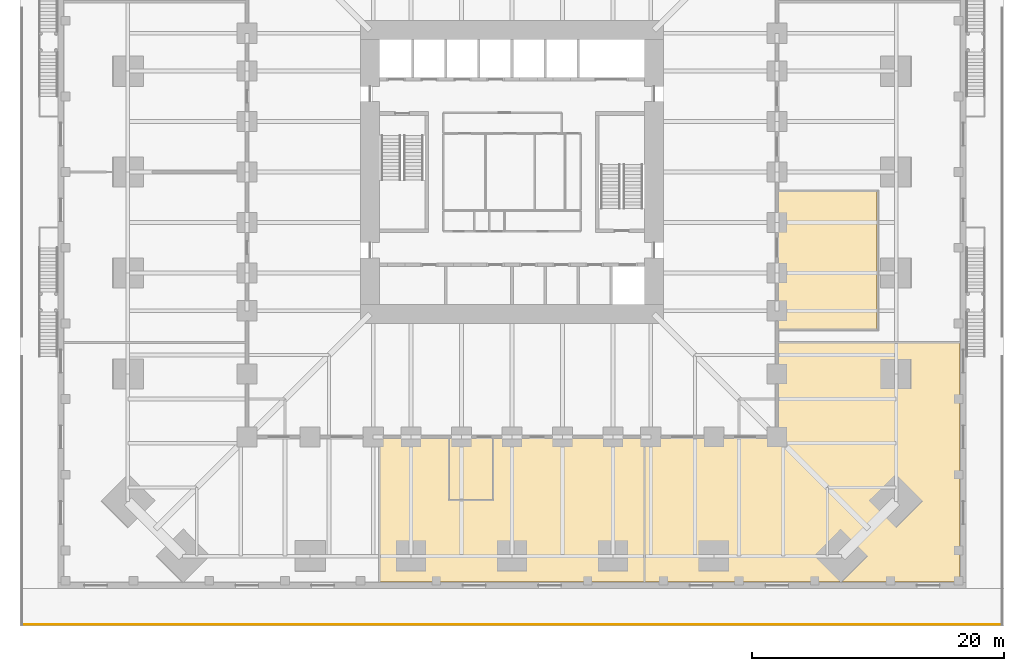
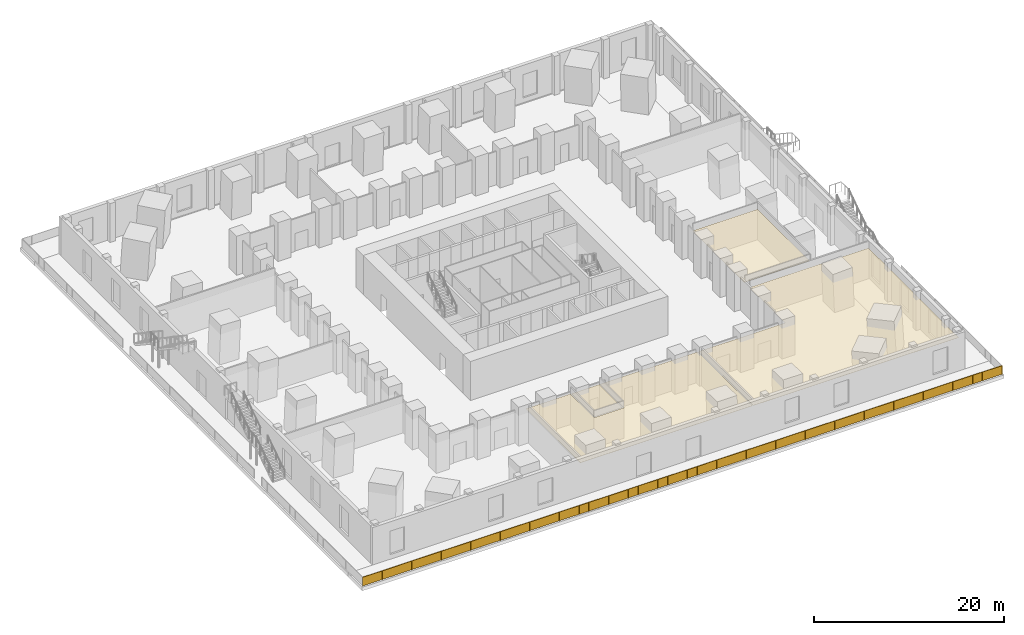
# One storey, part 17 of 20: 4 coverings, 1 railing.
"""IFC4 building model written with IfcOpenShell, lengths in metres."""

from ifc_helpers import new_model, si_unit, direction, frame, origin, origin_2d, place, context, subcontext, project, spatial, polyline, rectangle, circle, outline, extrude, material, layer, layer_set, type_object, element, save


model = new_model("IFC4")

# Units and contexts
model_context = context("Model", 3, precision=1e-05, world=origin(), true_north=direction((0.0, 1.0)))
body_context = subcontext(model_context, "Body", "Model", "MODEL_VIEW")
ifc_project = project(units=[si_unit("LENGTHUNIT", "METRE"), si_unit("AREAUNIT", "SQUARE_METRE"), si_unit("VOLUMEUNIT", "CUBIC_METRE"), si_unit("PLANEANGLEUNIT", "RADIAN"), si_unit("MASSUNIT", "GRAM", prefix="KILO")], contexts=[model_context])

# Site, building, storey
site_placement = place(None, origin())
site = spatial("IfcSite", under=ifc_project, at=site_placement, CompositionType="ELEMENT")
building_placement = place(site_placement, origin())
building = spatial("IfcBuilding", under=site, at=building_placement, Name="Peilmerk Tower", CompositionType="ELEMENT")
storey_placement = place(building_placement, frame((0.0, 0.0, 11.0)))
storey = spatial("IfcBuildingStorey", under=building, at=storey_placement, Name="L02", CompositionType="ELEMENT", Elevation=11.0)

# Coverings
ifc_material_1 = material(Name="Mineral fibre ceiling tiles", Category="mineral")
ifc_layer = layer(ifc_material_1, 0.02490234375)
ifc_layer_set = layer_set([ifc_layer], Name="Mineral fibre ceiling tiles")
covering_type = type_object("IfcCoveringType", Name="CL1 25 suspended ceiling", PredefinedType="CEILING", material=ifc_layer_set)
covering_1_placement = place(storey_placement, frame((0.0, 0.0, 3.875)))
element("IfcCovering", 1, at=covering_1_placement, inside=storey, type_object=covering_type, Name="Suspended ceiling Project room", PredefinedType="CEILING", context=body_context, shape_type="SweptSolid", body=[
    extrude(outline(polyline([(-10.449951171875, -21.050048828125), (-10.449951171875, -32.5), (10.449951171875, -32.5), (10.449951171875, -21.050048828125), (-1.449951171875, -21.050048828125), (-1.449951171875, -26.050048828125), (-5.050048828125, -26.050048828125), (-5.050048828125, -21.050048828125), (-10.449951171875, -21.050048828125)])), origin(), (0.0, 0.0, 1.0), 0.02490234375),
])
covering_2_placement = place(storey_placement, frame((0.0, 0.0, 3.875)))
element("IfcCovering", 2, at=covering_2_placement, inside=storey, type_object=covering_type, Name="Suspended ceiling Open workspace", PredefinedType="CEILING", context=body_context, shape_type="SweptSolid", body=[
    extrude(outline(polyline([(35.5, -32.5), (35.5, -13.550048828125), (21.050048828125, -13.550048828125), (21.050048828125, -21.050048828125), (10.550048828125, -21.050048828125), (10.550048828125, -32.5), (35.5, -32.5)])), origin(), (0.0, 0.0, 1.0), 0.02490234375),
])
covering_3_placement = place(storey_placement, frame((0.0, 0.0, 3.875)))
element("IfcCovering", 3, at=covering_3_placement, inside=storey, type_object=covering_type, Name="Suspended ceiling Pantry", PredefinedType="CEILING", context=body_context, shape_type="SweptSolid", body=[
    extrude(outline(polyline([(-1.550048828125, -25.949951171875), (-1.550048828125, -21.050048828125), (-4.949951171875, -21.050048828125), (-4.949951171875, -25.949951171875), (-1.550048828125, -25.949951171875)])), origin(), (0.0, 0.0, 1.0), 0.02490234375),
])
covering_4_placement = place(storey_placement, frame((0.0, 0.0, 3.875)))
element("IfcCovering", 4, at=covering_4_placement, inside=storey, type_object=covering_type, Name="Suspended ceiling Training room", PredefinedType="CEILING", context=body_context, shape_type="SweptSolid", body=[
    extrude(outline(polyline([(28.949951171875, -12.449951171875), (28.949951171875, -1.550048828125), (21.050048828125, -1.550048828125), (21.050048828125, -12.449951171875), (28.949951171875, -12.449951171875)])), origin(), (0.0, 0.0, 1.0), 0.02490234375),
])

# Railing
ifc_material_2 = material(Name="Galvanised steel posts and top rail, laminated glass infill 16", Category="steel")
railing_type = type_object("IfcRailingType", Name="GR2 1200 terrace balustrade", PredefinedType="BALUSTRADE", material=ifc_material_2)
railing_placement = place(storey_placement, frame((-38.85009765625, -35.85009765625, 0.0)))
element("IfcRailing", 5, at=railing_placement, inside=storey, type_object=railing_type, Name="Terrace balustrade L02", PredefinedType="BALUSTRADE", context=body_context, shape_type="SweptSolid", body=[
    extrude(circle(Radius=0.02392578125, at=origin_2d()), frame((0.0, 0.0, 1.17578125), z_axis=(1.0, 0.0, 0.0), x_axis=(0.0, 1.0, 0.0)), (0.0, 0.0, 1.0), 77.7001953125),
    extrude(circle(Radius=0.02099609375, at=origin_2d()), origin(), (0.0, 0.0, 1.0), 1.15185546875),
    extrude(circle(Radius=0.02099609375, at=origin_2d()), frame((1.1953125, 0.0, 0.0)), (0.0, 0.0, 1.0), 1.15185546875),
    extrude(circle(Radius=0.02099609375, at=origin_2d()), frame((2.390869140625, 0.0, 0.0)), (0.0, 0.0, 1.0), 1.15185546875),
    extrude(circle(Radius=0.02099609375, at=origin_2d()), frame((3.586181640625, 0.0, 0.0)), (0.0, 0.0, 1.0), 1.15185546875),
    extrude(circle(Radius=0.02099609375, at=origin_2d()), frame((4.781494140625, 0.0, 0.0)), (0.0, 0.0, 1.0), 1.15185546875),
    extrude(circle(Radius=0.02099609375, at=origin_2d()), frame((5.97705078125, 0.0, 0.0)), (0.0, 0.0, 1.0), 1.15185546875),
    extrude(circle(Radius=0.02099609375, at=origin_2d()), frame((7.17236328125, 0.0, 0.0)), (0.0, 0.0, 1.0), 1.15185546875),
    extrude(circle(Radius=0.02099609375, at=origin_2d()), frame((8.36767578125, 0.0, 0.0)), (0.0, 0.0, 1.0), 1.15185546875),
    extrude(circle(Radius=0.02099609375, at=origin_2d()), frame((9.56298828125, 0.0, 0.0)), (0.0, 0.0, 1.0), 1.15185546875),
    extrude(circle(Radius=0.02099609375, at=origin_2d()), frame((10.758544921875, 0.0, 0.0)), (0.0, 0.0, 1.0), 1.15185546875),
    extrude(circle(Radius=0.02099609375, at=origin_2d()), frame((11.953857421875, 0.0, 0.0)), (0.0, 0.0, 1.0), 1.15185546875),
    extrude(circle(Radius=0.02099609375, at=origin_2d()), frame((13.149169921875, 0.0, 0.0)), (0.0, 0.0, 1.0), 1.15185546875),
    extrude(circle(Radius=0.02099609375, at=origin_2d()), frame((14.3447265625, 0.0, 0.0)), (0.0, 0.0, 1.0), 1.15185546875),
    extrude(circle(Radius=0.02099609375, at=origin_2d()), frame((15.5400390625, 0.0, 0.0)), (0.0, 0.0, 1.0), 1.15185546875),
    extrude(circle(Radius=0.02099609375, at=origin_2d()), frame((16.7353515625, 0.0, 0.0)), (0.0, 0.0, 1.0), 1.15185546875),
    extrude(circle(Radius=0.02099609375, at=origin_2d()), frame((17.930908203125, 0.0, 0.0)), (0.0, 0.0, 1.0), 1.15185546875),
    extrude(circle(Radius=0.02099609375, at=origin_2d()), frame((19.126220703125, 0.0, 0.0)), (0.0, 0.0, 1.0), 1.15185546875),
    extrude(circle(Radius=0.02099609375, at=origin_2d()), frame((20.321533203125, 0.0, 0.0)), (0.0, 0.0, 1.0), 1.15185546875),
    extrude(circle(Radius=0.02099609375, at=origin_2d()), frame((21.51708984375, 0.0, 0.0)), (0.0, 0.0, 1.0), 1.15185546875),
    extrude(circle(Radius=0.02099609375, at=origin_2d()), frame((22.71240234375, 0.0, 0.0)), (0.0, 0.0, 1.0), 1.15185546875),
    extrude(circle(Radius=0.02099609375, at=origin_2d()), frame((23.90771484375, 0.0, 0.0)), (0.0, 0.0, 1.0), 1.15185546875),
    extrude(circle(Radius=0.02099609375, at=origin_2d()), frame((25.10302734375, 0.0, 0.0)), (0.0, 0.0, 1.0), 1.15185546875),
    extrude(circle(Radius=0.02099609375, at=origin_2d()), frame((26.298583984375, 0.0, 0.0)), (0.0, 0.0, 1.0), 1.15185546875),
    extrude(circle(Radius=0.02099609375, at=origin_2d()), frame((27.493896484375, 0.0, 0.0)), (0.0, 0.0, 1.0), 1.15185546875),
    extrude(circle(Radius=0.02099609375, at=origin_2d()), frame((28.689208984375, 0.0, 0.0)), (0.0, 0.0, 1.0), 1.15185546875),
    extrude(circle(Radius=0.02099609375, at=origin_2d()), frame((29.884765625, 0.0, 0.0)), (0.0, 0.0, 1.0), 1.15185546875),
    extrude(circle(Radius=0.02099609375, at=origin_2d()), frame((31.080078125, 0.0, 0.0)), (0.0, 0.0, 1.0), 1.15185546875),
    extrude(circle(Radius=0.02099609375, at=origin_2d()), frame((32.275390625, 0.0, 0.0)), (0.0, 0.0, 1.0), 1.15185546875),
    extrude(circle(Radius=0.02099609375, at=origin_2d()), frame((33.470947265625, 0.0, 0.0)), (0.0, 0.0, 1.0), 1.15185546875),
    extrude(circle(Radius=0.02099609375, at=origin_2d()), frame((34.666259765625, 0.0, 0.0)), (0.0, 0.0, 1.0), 1.15185546875),
    extrude(circle(Radius=0.02099609375, at=origin_2d()), frame((35.861572265625, 0.0, 0.0)), (0.0, 0.0, 1.0), 1.15185546875),
    extrude(circle(Radius=0.02099609375, at=origin_2d()), frame((37.05712890625, 0.0, 0.0)), (0.0, 0.0, 1.0), 1.15185546875),
    extrude(circle(Radius=0.02099609375, at=origin_2d()), frame((38.25244140625, 0.0, 0.0)), (0.0, 0.0, 1.0), 1.15185546875),
    extrude(circle(Radius=0.02099609375, at=origin_2d()), frame((39.44775390625, 0.0, 0.0)), (0.0, 0.0, 1.0), 1.15185546875),
    extrude(circle(Radius=0.02099609375, at=origin_2d()), frame((40.64306640625, 0.0, 0.0)), (0.0, 0.0, 1.0), 1.15185546875),
    extrude(circle(Radius=0.02099609375, at=origin_2d()), frame((41.838623046875, 0.0, 0.0)), (0.0, 0.0, 1.0), 1.15185546875),
    extrude(circle(Radius=0.02099609375, at=origin_2d()), frame((43.033935546875, 0.0, 0.0)), (0.0, 0.0, 1.0), 1.15185546875),
    extrude(circle(Radius=0.02099609375, at=origin_2d()), frame((44.229248046875, 0.0, 0.0)), (0.0, 0.0, 1.0), 1.15185546875),
    extrude(circle(Radius=0.02099609375, at=origin_2d()), frame((45.4248046875, 0.0, 0.0)), (0.0, 0.0, 1.0), 1.15185546875),
    extrude(circle(Radius=0.02099609375, at=origin_2d()), frame((46.6201171875, 0.0, 0.0)), (0.0, 0.0, 1.0), 1.15185546875),
    extrude(circle(Radius=0.02099609375, at=origin_2d()), frame((47.8154296875, 0.0, 0.0)), (0.0, 0.0, 1.0), 1.15185546875),
    extrude(circle(Radius=0.02099609375, at=origin_2d()), frame((49.010986328125, 0.0, 0.0)), (0.0, 0.0, 1.0), 1.15185546875),
    extrude(circle(Radius=0.02099609375, at=origin_2d()), frame((50.206298828125, 0.0, 0.0)), (0.0, 0.0, 1.0), 1.15185546875),
    extrude(circle(Radius=0.02099609375, at=origin_2d()), frame((51.401611328125, 0.0, 0.0)), (0.0, 0.0, 1.0), 1.15185546875),
    extrude(circle(Radius=0.02099609375, at=origin_2d()), frame((52.59716796875, 0.0, 0.0)), (0.0, 0.0, 1.0), 1.15185546875),
    extrude(circle(Radius=0.02099609375, at=origin_2d()), frame((53.79248046875, 0.0, 0.0)), (0.0, 0.0, 1.0), 1.15185546875),
    extrude(circle(Radius=0.02099609375, at=origin_2d()), frame((54.98779296875, 0.0, 0.0)), (0.0, 0.0, 1.0), 1.15185546875),
    extrude(circle(Radius=0.02099609375, at=origin_2d()), frame((56.18310546875, 0.0, 0.0)), (0.0, 0.0, 1.0), 1.15185546875),
    extrude(circle(Radius=0.02099609375, at=origin_2d()), frame((57.378662109375, 0.0, 0.0)), (0.0, 0.0, 1.0), 1.15185546875),
    extrude(circle(Radius=0.02099609375, at=origin_2d()), frame((58.573974609375, 0.0, 0.0)), (0.0, 0.0, 1.0), 1.15185546875),
    extrude(circle(Radius=0.02099609375, at=origin_2d()), frame((59.769287109375, 0.0, 0.0)), (0.0, 0.0, 1.0), 1.15185546875),
    extrude(circle(Radius=0.02099609375, at=origin_2d()), frame((60.96484375, 0.0, 0.0)), (0.0, 0.0, 1.0), 1.15185546875),
    extrude(circle(Radius=0.02099609375, at=origin_2d()), frame((62.16015625, 0.0, 0.0)), (0.0, 0.0, 1.0), 1.15185546875),
    extrude(circle(Radius=0.02099609375, at=origin_2d()), frame((63.35546875, 0.0, 0.0)), (0.0, 0.0, 1.0), 1.15185546875),
    extrude(circle(Radius=0.02099609375, at=origin_2d()), frame((64.551025390625, 0.0, 0.0)), (0.0, 0.0, 1.0), 1.15185546875),
    extrude(circle(Radius=0.02099609375, at=origin_2d()), frame((65.746337890625, 0.0, 0.0)), (0.0, 0.0, 1.0), 1.15185546875),
    extrude(circle(Radius=0.02099609375, at=origin_2d()), frame((66.941650390625, 0.0, 0.0)), (0.0, 0.0, 1.0), 1.15185546875),
    extrude(circle(Radius=0.02099609375, at=origin_2d()), frame((68.13720703125, 0.0, 0.0)), (0.0, 0.0, 1.0), 1.15185546875),
    extrude(circle(Radius=0.02099609375, at=origin_2d()), frame((69.33251953125, 0.0, 0.0)), (0.0, 0.0, 1.0), 1.15185546875),
    extrude(circle(Radius=0.02099609375, at=origin_2d()), frame((70.52783203125, 0.0, 0.0)), (0.0, 0.0, 1.0), 1.15185546875),
    extrude(circle(Radius=0.02099609375, at=origin_2d()), frame((71.72314453125, 0.0, 0.0)), (0.0, 0.0, 1.0), 1.15185546875),
    extrude(circle(Radius=0.02099609375, at=origin_2d()), frame((72.918701171875, 0.0, 0.0)), (0.0, 0.0, 1.0), 1.15185546875),
    extrude(circle(Radius=0.02099609375, at=origin_2d()), frame((74.114013671875, 0.0, 0.0)), (0.0, 0.0, 1.0), 1.15185546875),
    extrude(circle(Radius=0.02099609375, at=origin_2d()), frame((75.309326171875, 0.0, 0.0)), (0.0, 0.0, 1.0), 1.15185546875),
    extrude(circle(Radius=0.02099609375, at=origin_2d()), frame((76.5048828125, 0.0, 0.0)), (0.0, 0.0, 1.0), 1.15185546875),
    extrude(circle(Radius=0.02099609375, at=origin_2d()), frame((77.7001953125, 0.0, 0.0)), (0.0, 0.0, 1.0), 1.15185546875),
    extrude(rectangle(XDim=1.1533203125, YDim=0.01611328125, at=origin_2d()), frame((0.59765625, 0.0, 0.050048828125), z_axis=(0.0, 0.0, 1.0), x_axis=(1.0, 0.0, 0.0)), (0.0, 0.0, 1.0), 1.101806640625),
    extrude(rectangle(XDim=1.1533203125, YDim=0.01611328125, at=origin_2d()), frame((1.79296875, 0.0, 0.050048828125), z_axis=(0.0, 0.0, 1.0), x_axis=(1.0, 0.0, 0.0)), (0.0, 0.0, 1.0), 1.101806640625),
    extrude(rectangle(XDim=1.1533203125, YDim=0.01611328125, at=origin_2d()), frame((2.988525390625, 0.0, 0.050048828125), z_axis=(0.0, 0.0, 1.0), x_axis=(1.0, 0.0, 0.0)), (0.0, 0.0, 1.0), 1.101806640625),
    extrude(rectangle(XDim=1.1533203125, YDim=0.01611328125, at=origin_2d()), frame((4.183837890625, 0.0, 0.050048828125), z_axis=(0.0, 0.0, 1.0), x_axis=(1.0, 0.0, 0.0)), (0.0, 0.0, 1.0), 1.101806640625),
    extrude(rectangle(XDim=1.1533203125, YDim=0.01611328125, at=origin_2d()), frame((5.379150390625, 0.0, 0.050048828125), z_axis=(0.0, 0.0, 1.0), x_axis=(1.0, 0.0, 0.0)), (0.0, 0.0, 1.0), 1.101806640625),
    extrude(rectangle(XDim=1.1533203125, YDim=0.01611328125, at=origin_2d()), frame((6.57470703125, 0.0, 0.050048828125), z_axis=(0.0, 0.0, 1.0), x_axis=(1.0, 0.0, 0.0)), (0.0, 0.0, 1.0), 1.101806640625),
    extrude(rectangle(XDim=1.1533203125, YDim=0.01611328125, at=origin_2d()), frame((7.77001953125, 0.0, 0.050048828125), z_axis=(0.0, 0.0, 1.0), x_axis=(1.0, 0.0, 0.0)), (0.0, 0.0, 1.0), 1.101806640625),
    extrude(rectangle(XDim=1.1533203125, YDim=0.01611328125, at=origin_2d()), frame((8.96533203125, 0.0, 0.050048828125), z_axis=(0.0, 0.0, 1.0), x_axis=(1.0, 0.0, 0.0)), (0.0, 0.0, 1.0), 1.101806640625),
    extrude(rectangle(XDim=1.1533203125, YDim=0.01611328125, at=origin_2d()), frame((10.160888671875, 0.0, 0.050048828125), z_axis=(0.0, 0.0, 1.0), x_axis=(1.0, 0.0, 0.0)), (0.0, 0.0, 1.0), 1.101806640625),
    extrude(rectangle(XDim=1.1533203125, YDim=0.01611328125, at=origin_2d()), frame((11.356201171875, 0.0, 0.050048828125), z_axis=(0.0, 0.0, 1.0), x_axis=(1.0, 0.0, 0.0)), (0.0, 0.0, 1.0), 1.101806640625),
    extrude(rectangle(XDim=1.1533203125, YDim=0.01611328125, at=origin_2d()), frame((12.551513671875, 0.0, 0.050048828125), z_axis=(0.0, 0.0, 1.0), x_axis=(1.0, 0.0, 0.0)), (0.0, 0.0, 1.0), 1.101806640625),
    extrude(rectangle(XDim=1.1533203125, YDim=0.01611328125, at=origin_2d()), frame((13.7470703125, 0.0, 0.050048828125), z_axis=(0.0, 0.0, 1.0), x_axis=(1.0, 0.0, 0.0)), (0.0, 0.0, 1.0), 1.101806640625),
    extrude(rectangle(XDim=1.1533203125, YDim=0.01611328125, at=origin_2d()), frame((14.9423828125, 0.0, 0.050048828125), z_axis=(0.0, 0.0, 1.0), x_axis=(1.0, 0.0, 0.0)), (0.0, 0.0, 1.0), 1.101806640625),
    extrude(rectangle(XDim=1.1533203125, YDim=0.01611328125, at=origin_2d()), frame((16.1376953125, 0.0, 0.050048828125), z_axis=(0.0, 0.0, 1.0), x_axis=(1.0, 0.0, 0.0)), (0.0, 0.0, 1.0), 1.101806640625),
    extrude(rectangle(XDim=1.1533203125, YDim=0.01611328125, at=origin_2d()), frame((17.3330078125, 0.0, 0.050048828125), z_axis=(0.0, 0.0, 1.0), x_axis=(1.0, 0.0, 0.0)), (0.0, 0.0, 1.0), 1.101806640625),
    extrude(rectangle(XDim=1.1533203125, YDim=0.01611328125, at=origin_2d()), frame((18.528564453125, 0.0, 0.050048828125), z_axis=(0.0, 0.0, 1.0), x_axis=(1.0, 0.0, 0.0)), (0.0, 0.0, 1.0), 1.101806640625),
    extrude(rectangle(XDim=1.1533203125, YDim=0.01611328125, at=origin_2d()), frame((19.723876953125, 0.0, 0.050048828125), z_axis=(0.0, 0.0, 1.0), x_axis=(1.0, 0.0, 0.0)), (0.0, 0.0, 1.0), 1.101806640625),
    extrude(rectangle(XDim=1.1533203125, YDim=0.01611328125, at=origin_2d()), frame((20.919189453125, 0.0, 0.050048828125), z_axis=(0.0, 0.0, 1.0), x_axis=(1.0, 0.0, 0.0)), (0.0, 0.0, 1.0), 1.101806640625),
    extrude(rectangle(XDim=1.1533203125, YDim=0.01611328125, at=origin_2d()), frame((22.11474609375, 0.0, 0.050048828125), z_axis=(0.0, 0.0, 1.0), x_axis=(1.0, 0.0, 0.0)), (0.0, 0.0, 1.0), 1.101806640625),
    extrude(rectangle(XDim=1.1533203125, YDim=0.01611328125, at=origin_2d()), frame((23.31005859375, 0.0, 0.050048828125), z_axis=(0.0, 0.0, 1.0), x_axis=(1.0, 0.0, 0.0)), (0.0, 0.0, 1.0), 1.101806640625),
    extrude(rectangle(XDim=1.1533203125, YDim=0.01611328125, at=origin_2d()), frame((24.50537109375, 0.0, 0.050048828125), z_axis=(0.0, 0.0, 1.0), x_axis=(1.0, 0.0, 0.0)), (0.0, 0.0, 1.0), 1.101806640625),
    extrude(rectangle(XDim=1.1533203125, YDim=0.01611328125, at=origin_2d()), frame((25.700927734375, 0.0, 0.050048828125), z_axis=(0.0, 0.0, 1.0), x_axis=(1.0, 0.0, 0.0)), (0.0, 0.0, 1.0), 1.101806640625),
    extrude(rectangle(XDim=1.1533203125, YDim=0.01611328125, at=origin_2d()), frame((26.896240234375, 0.0, 0.050048828125), z_axis=(0.0, 0.0, 1.0), x_axis=(1.0, 0.0, 0.0)), (0.0, 0.0, 1.0), 1.101806640625),
    extrude(rectangle(XDim=1.1533203125, YDim=0.01611328125, at=origin_2d()), frame((28.091552734375, 0.0, 0.050048828125), z_axis=(0.0, 0.0, 1.0), x_axis=(1.0, 0.0, 0.0)), (0.0, 0.0, 1.0), 1.101806640625),
    extrude(rectangle(XDim=1.1533203125, YDim=0.01611328125, at=origin_2d()), frame((29.287109375, 0.0, 0.050048828125), z_axis=(0.0, 0.0, 1.0), x_axis=(1.0, 0.0, 0.0)), (0.0, 0.0, 1.0), 1.101806640625),
    extrude(rectangle(XDim=1.1533203125, YDim=0.01611328125, at=origin_2d()), frame((30.482421875, 0.0, 0.050048828125), z_axis=(0.0, 0.0, 1.0), x_axis=(1.0, 0.0, 0.0)), (0.0, 0.0, 1.0), 1.101806640625),
    extrude(rectangle(XDim=1.1533203125, YDim=0.01611328125, at=origin_2d()), frame((31.677734375, 0.0, 0.050048828125), z_axis=(0.0, 0.0, 1.0), x_axis=(1.0, 0.0, 0.0)), (0.0, 0.0, 1.0), 1.101806640625),
    extrude(rectangle(XDim=1.1533203125, YDim=0.01611328125, at=origin_2d()), frame((32.873046875, 0.0, 0.050048828125), z_axis=(0.0, 0.0, 1.0), x_axis=(1.0, 0.0, 0.0)), (0.0, 0.0, 1.0), 1.101806640625),
    extrude(rectangle(XDim=1.1533203125, YDim=0.01611328125, at=origin_2d()), frame((34.068603515625, 0.0, 0.050048828125), z_axis=(0.0, 0.0, 1.0), x_axis=(1.0, 0.0, 0.0)), (0.0, 0.0, 1.0), 1.101806640625),
    extrude(rectangle(XDim=1.1533203125, YDim=0.01611328125, at=origin_2d()), frame((35.263916015625, 0.0, 0.050048828125), z_axis=(0.0, 0.0, 1.0), x_axis=(1.0, 0.0, 0.0)), (0.0, 0.0, 1.0), 1.101806640625),
    extrude(rectangle(XDim=1.1533203125, YDim=0.01611328125, at=origin_2d()), frame((36.459228515625, 0.0, 0.050048828125), z_axis=(0.0, 0.0, 1.0), x_axis=(1.0, 0.0, 0.0)), (0.0, 0.0, 1.0), 1.101806640625),
    extrude(rectangle(XDim=1.1533203125, YDim=0.01611328125, at=origin_2d()), frame((37.65478515625, 0.0, 0.050048828125), z_axis=(0.0, 0.0, 1.0), x_axis=(1.0, 0.0, 0.0)), (0.0, 0.0, 1.0), 1.101806640625),
    extrude(rectangle(XDim=1.1533203125, YDim=0.01611328125, at=origin_2d()), frame((38.85009765625, 0.0, 0.050048828125), z_axis=(0.0, 0.0, 1.0), x_axis=(1.0, 0.0, 0.0)), (0.0, 0.0, 1.0), 1.101806640625),
    extrude(rectangle(XDim=1.1533203125, YDim=0.01611328125, at=origin_2d()), frame((40.04541015625, 0.0, 0.050048828125), z_axis=(0.0, 0.0, 1.0), x_axis=(1.0, 0.0, 0.0)), (0.0, 0.0, 1.0), 1.101806640625),
    extrude(rectangle(XDim=1.1533203125, YDim=0.01611328125, at=origin_2d()), frame((41.240966796875, 0.0, 0.050048828125), z_axis=(0.0, 0.0, 1.0), x_axis=(1.0, 0.0, 0.0)), (0.0, 0.0, 1.0), 1.101806640625),
    extrude(rectangle(XDim=1.1533203125, YDim=0.01611328125, at=origin_2d()), frame((42.436279296875, 0.0, 0.050048828125), z_axis=(0.0, 0.0, 1.0), x_axis=(1.0, 0.0, 0.0)), (0.0, 0.0, 1.0), 1.101806640625),
    extrude(rectangle(XDim=1.1533203125, YDim=0.01611328125, at=origin_2d()), frame((43.631591796875, 0.0, 0.050048828125), z_axis=(0.0, 0.0, 1.0), x_axis=(1.0, 0.0, 0.0)), (0.0, 0.0, 1.0), 1.101806640625),
    extrude(rectangle(XDim=1.1533203125, YDim=0.01611328125, at=origin_2d()), frame((44.8271484375, 0.0, 0.050048828125), z_axis=(0.0, 0.0, 1.0), x_axis=(1.0, 0.0, 0.0)), (0.0, 0.0, 1.0), 1.101806640625),
    extrude(rectangle(XDim=1.1533203125, YDim=0.01611328125, at=origin_2d()), frame((46.0224609375, 0.0, 0.050048828125), z_axis=(0.0, 0.0, 1.0), x_axis=(1.0, 0.0, 0.0)), (0.0, 0.0, 1.0), 1.101806640625),
    extrude(rectangle(XDim=1.1533203125, YDim=0.01611328125, at=origin_2d()), frame((47.2177734375, 0.0, 0.050048828125), z_axis=(0.0, 0.0, 1.0), x_axis=(1.0, 0.0, 0.0)), (0.0, 0.0, 1.0), 1.101806640625),
    extrude(rectangle(XDim=1.1533203125, YDim=0.01611328125, at=origin_2d()), frame((48.4130859375, 0.0, 0.050048828125), z_axis=(0.0, 0.0, 1.0), x_axis=(1.0, 0.0, 0.0)), (0.0, 0.0, 1.0), 1.101806640625),
    extrude(rectangle(XDim=1.1533203125, YDim=0.01611328125, at=origin_2d()), frame((49.608642578125, 0.0, 0.050048828125), z_axis=(0.0, 0.0, 1.0), x_axis=(1.0, 0.0, 0.0)), (0.0, 0.0, 1.0), 1.101806640625),
    extrude(rectangle(XDim=1.1533203125, YDim=0.01611328125, at=origin_2d()), frame((50.803955078125, 0.0, 0.050048828125), z_axis=(0.0, 0.0, 1.0), x_axis=(1.0, 0.0, 0.0)), (0.0, 0.0, 1.0), 1.101806640625),
    extrude(rectangle(XDim=1.1533203125, YDim=0.01611328125, at=origin_2d()), frame((51.999267578125, 0.0, 0.050048828125), z_axis=(0.0, 0.0, 1.0), x_axis=(1.0, 0.0, 0.0)), (0.0, 0.0, 1.0), 1.101806640625),
    extrude(rectangle(XDim=1.1533203125, YDim=0.01611328125, at=origin_2d()), frame((53.19482421875, 0.0, 0.050048828125), z_axis=(0.0, 0.0, 1.0), x_axis=(1.0, 0.0, 0.0)), (0.0, 0.0, 1.0), 1.101806640625),
    extrude(rectangle(XDim=1.1533203125, YDim=0.01611328125, at=origin_2d()), frame((54.39013671875, 0.0, 0.050048828125), z_axis=(0.0, 0.0, 1.0), x_axis=(1.0, 0.0, 0.0)), (0.0, 0.0, 1.0), 1.101806640625),
    extrude(rectangle(XDim=1.1533203125, YDim=0.01611328125, at=origin_2d()), frame((55.58544921875, 0.0, 0.050048828125), z_axis=(0.0, 0.0, 1.0), x_axis=(1.0, 0.0, 0.0)), (0.0, 0.0, 1.0), 1.101806640625),
    extrude(rectangle(XDim=1.1533203125, YDim=0.01611328125, at=origin_2d()), frame((56.781005859375, 0.0, 0.050048828125), z_axis=(0.0, 0.0, 1.0), x_axis=(1.0, 0.0, 0.0)), (0.0, 0.0, 1.0), 1.101806640625),
    extrude(rectangle(XDim=1.1533203125, YDim=0.01611328125, at=origin_2d()), frame((57.976318359375, 0.0, 0.050048828125), z_axis=(0.0, 0.0, 1.0), x_axis=(1.0, 0.0, 0.0)), (0.0, 0.0, 1.0), 1.101806640625),
    extrude(rectangle(XDim=1.1533203125, YDim=0.01611328125, at=origin_2d()), frame((59.171630859375, 0.0, 0.050048828125), z_axis=(0.0, 0.0, 1.0), x_axis=(1.0, 0.0, 0.0)), (0.0, 0.0, 1.0), 1.101806640625),
    extrude(rectangle(XDim=1.1533203125, YDim=0.01611328125, at=origin_2d()), frame((60.3671875, 0.0, 0.050048828125), z_axis=(0.0, 0.0, 1.0), x_axis=(1.0, 0.0, 0.0)), (0.0, 0.0, 1.0), 1.101806640625),
    extrude(rectangle(XDim=1.1533203125, YDim=0.01611328125, at=origin_2d()), frame((61.5625, 0.0, 0.050048828125), z_axis=(0.0, 0.0, 1.0), x_axis=(1.0, 0.0, 0.0)), (0.0, 0.0, 1.0), 1.101806640625),
    extrude(rectangle(XDim=1.1533203125, YDim=0.01611328125, at=origin_2d()), frame((62.7578125, 0.0, 0.050048828125), z_axis=(0.0, 0.0, 1.0), x_axis=(1.0, 0.0, 0.0)), (0.0, 0.0, 1.0), 1.101806640625),
    extrude(rectangle(XDim=1.1533203125, YDim=0.01611328125, at=origin_2d()), frame((63.953125, 0.0, 0.050048828125), z_axis=(0.0, 0.0, 1.0), x_axis=(1.0, 0.0, 0.0)), (0.0, 0.0, 1.0), 1.101806640625),
    extrude(rectangle(XDim=1.1533203125, YDim=0.01611328125, at=origin_2d()), frame((65.148681640625, 0.0, 0.050048828125), z_axis=(0.0, 0.0, 1.0), x_axis=(1.0, 0.0, 0.0)), (0.0, 0.0, 1.0), 1.101806640625),
    extrude(rectangle(XDim=1.1533203125, YDim=0.01611328125, at=origin_2d()), frame((66.343994140625, 0.0, 0.050048828125), z_axis=(0.0, 0.0, 1.0), x_axis=(1.0, 0.0, 0.0)), (0.0, 0.0, 1.0), 1.101806640625),
    extrude(rectangle(XDim=1.1533203125, YDim=0.01611328125, at=origin_2d()), frame((67.539306640625, 0.0, 0.050048828125), z_axis=(0.0, 0.0, 1.0), x_axis=(1.0, 0.0, 0.0)), (0.0, 0.0, 1.0), 1.101806640625),
    extrude(rectangle(XDim=1.1533203125, YDim=0.01611328125, at=origin_2d()), frame((68.73486328125, 0.0, 0.050048828125), z_axis=(0.0, 0.0, 1.0), x_axis=(1.0, 0.0, 0.0)), (0.0, 0.0, 1.0), 1.101806640625),
    extrude(rectangle(XDim=1.1533203125, YDim=0.01611328125, at=origin_2d()), frame((69.93017578125, 0.0, 0.050048828125), z_axis=(0.0, 0.0, 1.0), x_axis=(1.0, 0.0, 0.0)), (0.0, 0.0, 1.0), 1.101806640625),
    extrude(rectangle(XDim=1.1533203125, YDim=0.01611328125, at=origin_2d()), frame((71.12548828125, 0.0, 0.050048828125), z_axis=(0.0, 0.0, 1.0), x_axis=(1.0, 0.0, 0.0)), (0.0, 0.0, 1.0), 1.101806640625),
    extrude(rectangle(XDim=1.1533203125, YDim=0.01611328125, at=origin_2d()), frame((72.321044921875, 0.0, 0.050048828125), z_axis=(0.0, 0.0, 1.0), x_axis=(1.0, 0.0, 0.0)), (0.0, 0.0, 1.0), 1.101806640625),
    extrude(rectangle(XDim=1.1533203125, YDim=0.01611328125, at=origin_2d()), frame((73.516357421875, 0.0, 0.050048828125), z_axis=(0.0, 0.0, 1.0), x_axis=(1.0, 0.0, 0.0)), (0.0, 0.0, 1.0), 1.101806640625),
    extrude(rectangle(XDim=1.1533203125, YDim=0.01611328125, at=origin_2d()), frame((74.711669921875, 0.0, 0.050048828125), z_axis=(0.0, 0.0, 1.0), x_axis=(1.0, 0.0, 0.0)), (0.0, 0.0, 1.0), 1.101806640625),
    extrude(rectangle(XDim=1.1533203125, YDim=0.01611328125, at=origin_2d()), frame((75.9072265625, 0.0, 0.050048828125), z_axis=(0.0, 0.0, 1.0), x_axis=(1.0, 0.0, 0.0)), (0.0, 0.0, 1.0), 1.101806640625),
    extrude(rectangle(XDim=1.1533203125, YDim=0.01611328125, at=origin_2d()), frame((77.1025390625, 0.0, 0.050048828125), z_axis=(0.0, 0.0, 1.0), x_axis=(1.0, 0.0, 0.0)), (0.0, 0.0, 1.0), 1.101806640625),
])

save(model, "model.ifc")
